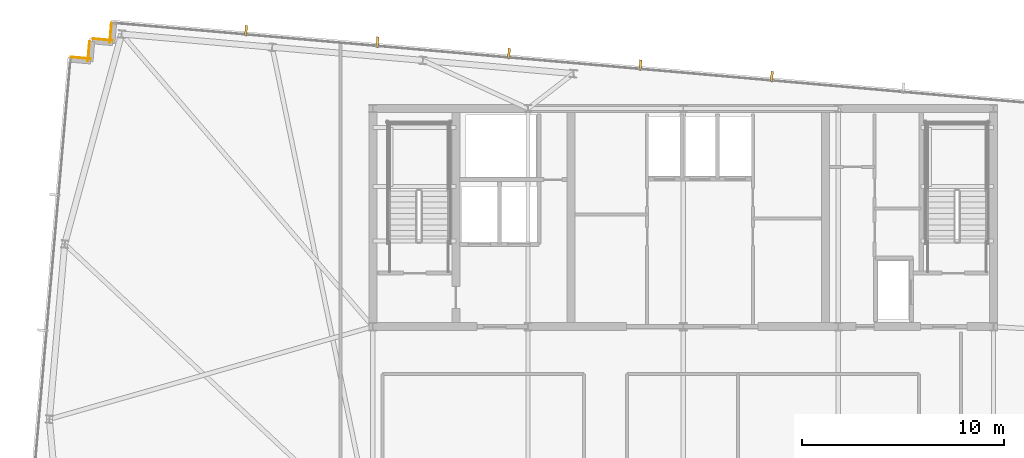
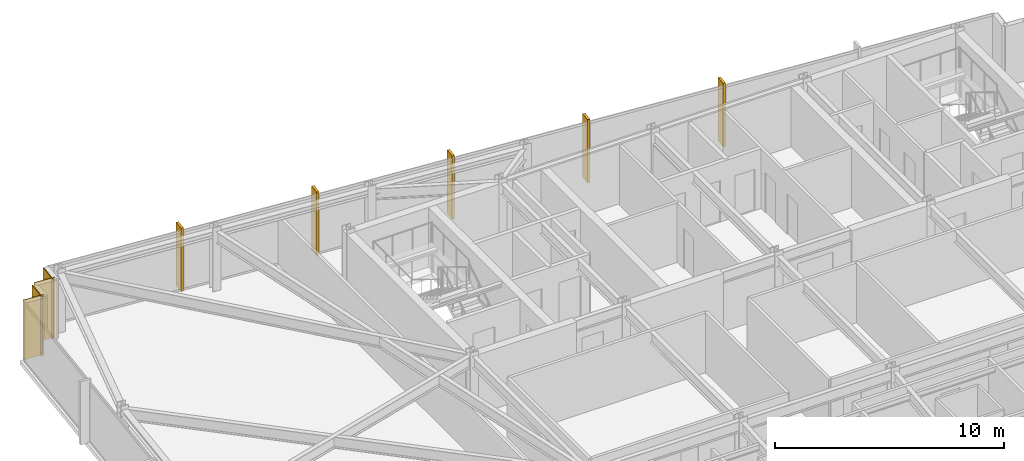
# One storey, part 33 of 33: 5 shading devices, 4 coverings.
"""IFC4 building model written with IfcOpenShell, lengths in metres."""

import ifcopenshell
import ifcopenshell.guid

model = None  # the IFC model being written
_history = None  # IfcOwnerHistory: only IFC2X3 demands one
_inside = {}  # id of a spatial element -> (the spatial element, [elements in it])
_under = {}  # id of a project, library or spatial element -> (it, [spatial elements below it])
_declared = {}  # id of a project -> (the project, [libraries it declares])
_typed = {}  # id of a type object -> (the type object, [elements of that type])
_made_of = {}  # id of a material, layer set ... -> (it, [elements and type objects made of it])


def new_model(schema):
    """Start an empty IFC model of exactly this schema.

    Asked for "IFC4X3", IfcOpenShell would pick the latest addendum, in which some entities
    have other attributes; the version numbers below select the first issue.
    IFC2X3 requires an IfcOwnerHistory on every rooted entity: one is made here for all.
    """
    global model, _history
    if schema == "IFC4X3":
        model = ifcopenshell.file(schema_version=(4, 3, 0, 0))
    else:
        model = ifcopenshell.file(schema=schema)
    _inside.clear()
    _under.clear()
    _declared.clear()
    _typed.clear()
    _made_of.clear()
    _history = None
    if model.schema == "IFC2X3":
        org = make("IfcOrganization", Name="unknown")
        user = make(
            "IfcPersonAndOrganization",
            ThePerson=make("IfcPerson", FamilyName="unknown"),
            TheOrganization=org,
        )
        app = make(
            "IfcApplication",
            ApplicationDeveloper=org,
            Version="unknown",
            ApplicationFullName="unknown",
            ApplicationIdentifier="unknown",
        )
        _history = make(
            "IfcOwnerHistory",
            OwningUser=user,
            OwningApplication=app,
            ChangeAction="ADDED",
            CreationDate=0,
        )
    return model


def make(cls, **values):
    """One entity of the class cls with the attributes given. An attribute that is None is left unset."""
    return model.create_entity(
        cls, **{name: value for name, value in values.items() if value is not None}
    )


def rooted(cls, **values):
    """An entity with a GlobalId (a new one), such as an element, a storey or a relation."""
    return make(cls, GlobalId=ifcopenshell.guid.new(), OwnerHistory=_history, **values)


def si_unit(unit_type, name, prefix=None):
    """IfcSIUnit, for example si_unit("LENGTHUNIT", "METRE", prefix="MILLI")."""
    return make("IfcSIUnit", UnitType=unit_type, Prefix=prefix, Name=name)


def assignment(units):
    """IfcUnitAssignment: the units of a project."""
    return None if units is None else make("IfcUnitAssignment", Units=units)


def point(xyz):
    """IfcCartesianPoint."""
    return None if xyz is None else make("IfcCartesianPoint", Coordinates=xyz)


def direction(xyz):
    """IfcDirection."""
    return None if xyz is None else make("IfcDirection", DirectionRatios=xyz)


def frame(location, z_axis=None, x_axis=None):
    """IfcAxis2Placement3D, a coordinate frame: its origin and axes. An axis left out is left unset."""
    return make(
        "IfcAxis2Placement3D",
        Location=point(location),
        Axis=direction(z_axis),
        RefDirection=direction(x_axis),
    )


def frame_2d(location, x_axis=None):
    """IfcAxis2Placement2D, a coordinate frame in the plane: its origin and x axis."""
    return make(
        "IfcAxis2Placement2D", Location=point(location), RefDirection=direction(x_axis)
    )


def origin():
    """The frame at (0, 0, 0) with its axes left unset."""
    return frame((0.0, 0.0, 0.0))


def origin_2d():
    """The frame at (0, 0) in the plane with its x axis left unset."""
    return frame_2d((0.0, 0.0))


def place(relative_to, where):
    """IfcLocalPlacement: puts the frame where relative to a parent placement (None: the world)."""
    return make(
        "IfcLocalPlacement", PlacementRelTo=relative_to, RelativePlacement=where
    )


def context(
    kind, dimensions, precision=None, world=None, true_north=None, identifier=None
):
    """IfcGeometricRepresentationContext, for example the 3D "Model" context."""
    return make(
        "IfcGeometricRepresentationContext",
        ContextIdentifier=identifier,
        ContextType=kind,
        CoordinateSpaceDimension=dimensions,
        Precision=precision,
        WorldCoordinateSystem=world,
        TrueNorth=true_north,
    )


def subcontext(parent, identifier, kind, view, scale=None):
    """IfcGeometricRepresentationSubContext, for example "Body" below "Model"."""
    return make(
        "IfcGeometricRepresentationSubContext",
        ContextIdentifier=identifier,
        ContextType=kind,
        ParentContext=parent,
        TargetScale=scale,
        TargetView=view,
    )


def project(units=None, contexts=None):
    """IfcProject with its units and contexts."""
    return rooted(
        "IfcProject",
        Name="project",
        RepresentationContexts=contexts,
        UnitsInContext=assignment(units),
    )


def spatial(cls, under=None, at=None, **own):
    """A site, building, storey or space (cls), placed at a placement, below another one or the project."""
    s = rooted(cls, ObjectPlacement=at, **own)
    if under is not None:
        _under.setdefault(under.id(), (under, []))[1].append(s)
    return s


def profile(cls, at=None, kind="AREA", **sizes):
    """A parametric profile (cls). Its sizes go by their IFC names, for example OverallWidth=200.0."""
    return make(cls, ProfileType=kind, Position=at, **sizes)


def rectangle(**sizes):
    """IfcRectangleProfileDef."""
    return profile("IfcRectangleProfileDef", **sizes)


def extrude(swept, where, along, depth):
    """IfcExtrudedAreaSolid: the profile swept, set in the frame where, extruded along a direction by depth."""
    return make(
        "IfcExtrudedAreaSolid",
        SweptArea=swept,
        Position=where,
        ExtrudedDirection=direction(along),
        Depth=depth,
    )


def shape(context_of_items, identifier, shape_type, items):
    """IfcShapeRepresentation: the items that make up one representation, for example the "Body"."""
    return make(
        "IfcShapeRepresentation",
        ContextOfItems=context_of_items,
        RepresentationIdentifier=identifier,
        RepresentationType=shape_type,
        Items=items,
    )


def material(Name=None, Category=None):
    """IfcMaterial."""
    return make("IfcMaterial", Name=Name, Category=Category)


def layer(
    of_material, thickness, ventilated=None, Name=None, Category=None, Priority=None
):
    """IfcMaterialLayer: one layer of a wall or slab, of a material (None: an air gap)."""
    return make(
        "IfcMaterialLayer",
        Material=of_material,
        LayerThickness=thickness,
        IsVentilated=ventilated,
        Name=Name,
        Category=Category,
        Priority=Priority,
    )


def layer_set(layers, Name=None):
    """IfcMaterialLayerSet."""
    return make("IfcMaterialLayerSet", MaterialLayers=layers, LayerSetName=Name)


def made_of(thing, what):
    """Note that an element or type object is made of a material, layer set ...; save() writes the relation."""
    if what is not None:
        _made_of.setdefault(what.id(), (what, []))[1].append(thing)
    return thing


def type_object(cls, material=None, **own):
    """A type object (cls), such as IfcWallType, which elements share."""
    return made_of(rooted(cls, **own), material)


def element(
    cls,
    number,
    at=None,
    inside=None,
    cuts=None,
    type_object=None,
    material=None,
    context=None,
    identifier="Body",
    shape_type=None,
    held_by="IfcProductDefinitionShape",
    body=None,
    shapes=None,
    **own,
):
    """One element of the class cls, such as IfcWall. Its Tag is "e" and its number.

    at: its placement. inside: the storey or other place that contains it. cuts: it is an
    opening in that element (IfcRelVoidsElement). A single representation is given by context,
    identifier, shape_type and body (its items); several are given by shapes. held_by: the class
    of the entity that holds the representations. save() writes the other relations.
    """
    e = rooted(cls, Tag="e%d" % number, ObjectPlacement=at, **own)
    if body is not None:
        shapes = [shape(context, identifier, shape_type, body)]
    if shapes is not None:
        e.Representation = make(held_by, Representations=shapes)
    if inside is not None:
        _inside.setdefault(inside.id(), (inside, []))[1].append(e)
    if cuts is not None:
        rooted(
            "IfcRelVoidsElement", RelatingBuildingElement=cuts, RelatedOpeningElement=e
        )
    if type_object is not None:
        _typed.setdefault(type_object.id(), (type_object, []))[1].append(e)
    return made_of(e, material)


def aggregate(whole, parts):
    """IfcRelAggregates: a whole, such as a stair, and the parts it consists of."""
    return rooted("IfcRelAggregates", RelatingObject=whole, RelatedObjects=parts)


def save(model, path):
    """Write the relations noted so far, then the file.

    IfcRelAggregates (storeys below a building ...), IfcRelContainedInSpatialStructure (elements
    in a storey), IfcRelDefinesByType, IfcRelAssociatesMaterial and IfcRelDeclares: one each for
    every whole, place, type object, material and project.
    """
    for whole, parts in _under.values():
        aggregate(whole, parts)
    for where, things in _inside.values():
        rooted(
            "IfcRelContainedInSpatialStructure",
            RelatedElements=things,
            RelatingStructure=where,
        )
    for kind, things in _typed.values():
        rooted("IfcRelDefinesByType", RelatedObjects=things, RelatingType=kind)
    for what, things in _made_of.values():
        rooted("IfcRelAssociatesMaterial", RelatedObjects=things, RelatingMaterial=what)
    for by, libraries in _declared.values():
        rooted("IfcRelDeclares", RelatingContext=by, RelatedDefinitions=libraries)
    model.write(path)


model = new_model("IFC4")

# Units and contexts
model_context = context("Model", 3, precision=1e-05, world=origin(), true_north=direction((0.0, 1.0)))
body_context = subcontext(model_context, "Body", "Model", "MODEL_VIEW")
ifc_project = project(units=[si_unit("LENGTHUNIT", "METRE"), si_unit("AREAUNIT", "SQUARE_METRE"), si_unit("VOLUMEUNIT", "CUBIC_METRE"), si_unit("PLANEANGLEUNIT", "RADIAN"), si_unit("MASSUNIT", "GRAM", prefix="KILO")], contexts=[model_context])

# Site, building, storey
site_placement = place(None, origin())
site = spatial("IfcSite", under=ifc_project, at=site_placement, CompositionType="ELEMENT")
building_placement = place(site_placement, origin())
building = spatial("IfcBuilding", under=site, at=building_placement, Name="Yelkora Congress Tower", CompositionType="ELEMENT")
storey_placement = place(building_placement, frame((0.0, 0.0, 286.300048828125)))
storey = spatial("IfcBuildingStorey", under=building, at=storey_placement, Name="L80", CompositionType="ELEMENT", Elevation=286.300048828125)

# Coverings
ifc_material_1 = material(Name="Anatolian bush-hammered limestone", Category="masonry")
ifc_layer_1 = layer(ifc_material_1, 0.0400390625)
ifc_layer_set_1 = layer_set([ifc_layer_1], Name="Anatolian bush-hammered limestone")
covering_type = type_object("IfcCoveringType", Name="COV-CLAD-SPANDREL-40", PredefinedType="CLADDING", material=ifc_layer_set_1)
for number, where, z_axis, x_axis, name in (
    (1, (8.0849609375, 48.744140625, 0.0), (0.0, 0.0, 1.0), (0.996195572005, -0.087145753297, 0.0), "L80 Anatolian Limestone Cladding EW-L80-SR06"),
    (2, (8.93505859375, 48.5341796875, 0.0), (0.0, 0.0, 1.0), (0.087145753297, 0.996195572005, 0.0), "L80 Anatolian Limestone Cladding EW-L80-SR07"),
):
    element("IfcCovering", number, at=place(storey_placement, frame(where, z_axis=z_axis, x_axis=x_axis)), inside=storey, type_object=covering_type, Name=name, PredefinedType="CLADDING", context=body_context, shape_type="SweptSolid", body=[
        extrude(rectangle(XDim=1.000244140625, YDim=0.0400390625, at=frame_2d((0.5, 0.0))), origin(), (0.0, 0.0, 1.0), 3.179931640625),
    ])
covering_1_placement = place(storey_placement, frame((9.16845703125, 49.6533203125, 0.0), z_axis=(0.0, 0.0, 1.0), x_axis=(0.996193717496, -0.087166950281, 0.0)))
element("IfcCovering", 3, at=covering_1_placement, inside=storey, type_object=covering_type, Name="L80 Anatolian Limestone Cladding EW-L80-SR08", PredefinedType="CLADDING", context=body_context, shape_type="SweptSolid", body=[
    extrude(rectangle(XDim=1.0, YDim=0.0400390625, at=frame_2d((0.5, 0.0))), origin(), (0.0, 0.0, 1.0), 3.179931640625),
])
covering_2_placement = place(storey_placement, frame((10.018310546875, 49.443359375, 0.0), z_axis=(0.0, 0.0, 1.0), x_axis=(0.087145753297, 0.996195572005, 0.0)))
element("IfcCovering", 4, at=covering_2_placement, inside=storey, type_object=covering_type, Name="L80 Anatolian Limestone Cladding EW-L80-SR09", PredefinedType="CLADDING", context=body_context, shape_type="SweptSolid", body=[
    extrude(rectangle(XDim=1.000244140625, YDim=0.0400390625, at=frame_2d((0.5, 0.0))), origin(), (0.0, 0.0, 1.0), 3.179931640625),
])

# Shading devices
ifc_material_2 = material(Name="Champagne anodised aluminium", Category="aluminium")
ifc_layer_2 = layer(ifc_material_2, 3.300048828125)
ifc_layer_set_2 = layer_set([ifc_layer_2], Name="Champagne anodised aluminium")
shading_device_type = type_object("IfcShadingDeviceType", Name="SHD-FIN-ALU-520", PredefinedType="USERDEFINED", material=ifc_layer_set_2)
for number, where, z_axis, x_axis, name in (
    (5, (16.763916015625, 50.057861328125, -0.030029296875), (0.0, 0.0, 1.0), (0.996194698092, -0.087155742748, 0.0), "L80 Vertical Anodised Solar Fin 10-1"),
    (6, (23.2705078125, 49.488525390625, -0.030029296875), (0.0, 0.0, 1.0), (0.996194698092, -0.087155742748, 0.0), "L80 Vertical Anodised Solar Fin 10-2"),
    (7, (29.777099609375, 48.919189453125, -0.030029296875), (0.0, 0.0, 1.0), (0.996194698092, -0.087155742748, 0.0), "L80 Vertical Anodised Solar Fin 10-3"),
    (8, (36.28369140625, 48.35009765625, -0.030029296875), (0.0, 0.0, 1.0), (0.996194698092, -0.087155742748, 0.0), "L80 Vertical Anodised Solar Fin 10-4"),
    (9, (42.790283203125, 47.78076171875, -0.030029296875), (0.0, 0.0, 1.0), (0.996194698092, -0.087155742748, 0.0), "L80 Vertical Anodised Solar Fin 10-5"),
):
    element("IfcShadingDevice", number, at=place(storey_placement, frame(where, z_axis=z_axis, x_axis=x_axis)), inside=storey, type_object=shading_device_type, Name=name, ObjectType="FIN", PredefinedType="USERDEFINED", context=body_context, shape_type="SweptSolid", body=[
        extrude(rectangle(XDim=0.1201171875, YDim=0.52001953125, at=origin_2d()), origin(), (0.0, 0.0, 1.0), 3.3798828125),
    ])

save(model, "model.ifc")
